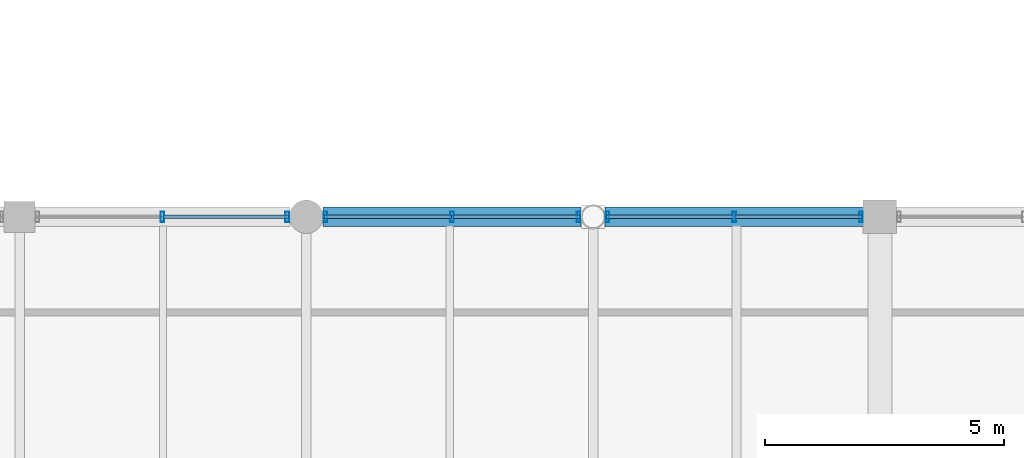
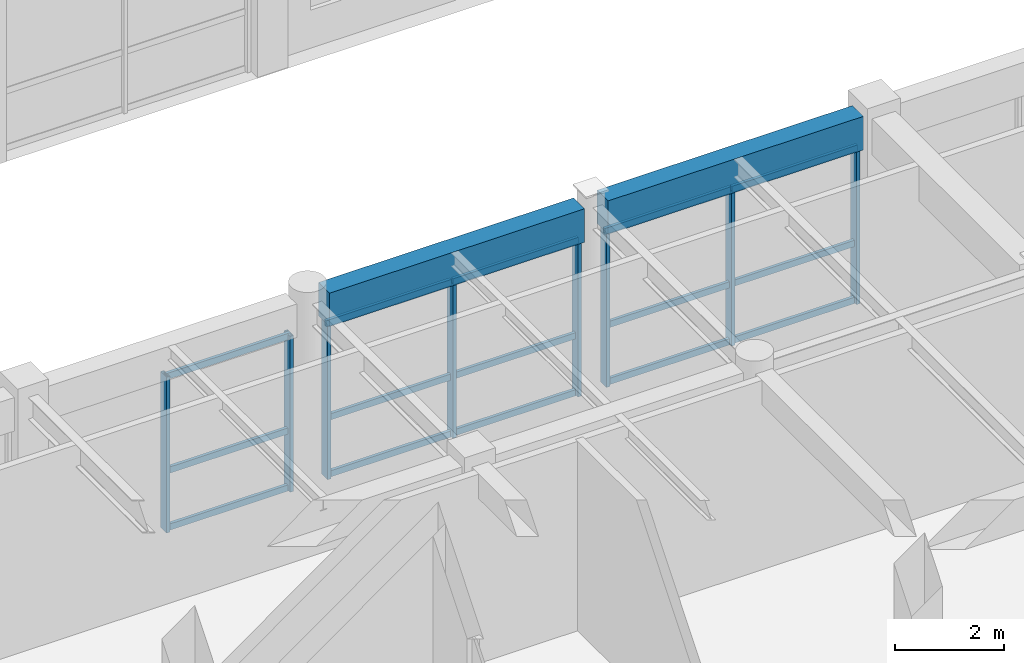
# One storey, part 34 of 116: 23 members, 2 beams, 3 elements without a shape of their own.
"""IFC4 building model written with IfcOpenShell, lengths in metres."""

from ifc_helpers import new_model, si_unit, direction, frame, origin, origin_2d, place, context, subcontext, project, spatial, rectangle, hollow_rectangle, extrude, material, material_profile, profile_set, type_object, element, aggregate, save


model = new_model("IFC4")

# Units and contexts
model_context = context("Model", 3, precision=1e-05, world=origin(), true_north=direction((0.0, 1.0)))
body_context = subcontext(model_context, "Body", "Model", "MODEL_VIEW")
ifc_project = project(units=[si_unit("LENGTHUNIT", "METRE"), si_unit("AREAUNIT", "SQUARE_METRE"), si_unit("VOLUMEUNIT", "CUBIC_METRE"), si_unit("PLANEANGLEUNIT", "RADIAN"), si_unit("MASSUNIT", "GRAM", prefix="KILO"), si_unit("THERMODYNAMICTEMPERATUREUNIT", "KELVIN"), si_unit("POWERUNIT", "WATT")], contexts=[model_context])

# Site, building, storey
site_placement = place(None, origin())
site = spatial("IfcSite", under=ifc_project, at=site_placement, CompositionType="ELEMENT")
building_placement = place(site_placement, origin())
building = spatial("IfcBuilding", under=site, at=building_placement, Name="Phaisarnlok Congress Hotel", CompositionType="ELEMENT")
storey_placement = place(building_placement, frame((0.0, 0.0, 10.5)))
storey = spatial("IfcBuildingStorey", under=building, at=storey_placement, Name="L02", CompositionType="ELEMENT", Elevation=10.5)

# Curtain wall, members
ifc_material_1 = material(Name="Thermally Broken Unitised Aluminium & Low-E Glazing", Category="aluminium")
curtain_wall_type_1 = type_object("IfcCurtainWallType", Name="CW-UNIT-17", PredefinedType="NOTDEFINED", material=ifc_material_1)
curtain_wall_1_placement = place(storey_placement, origin())
curtain_wall_1 = element("IfcCurtainWall", 1, at=curtain_wall_1_placement, inside=storey, type_object=curtain_wall_type_1, Name="Unitised curtain wall CW-17 (L02)", PredefinedType="NOTDEFINED")
ifc_material_2 = material(Name="Anodised Aluminium Alloy 6063-T6", Category="aluminium")
ifc_material_profile_1 = material_profile(ifc_material_2, hollow_rectangle(XDim=0.074951171875, YDim=0.219970703125, WallThickness=0.0048828125, at=origin_2d()), Name="ALU-M 75x220x5")
ifc_profile_set_1 = profile_set([ifc_material_profile_1], Name="Anodised Aluminium Alloy 6063-T6")
member_type_1 = type_object("IfcMemberType", Name="CWM-220", PredefinedType="MULLION", material=ifc_profile_set_1)
member_1_placement = place(storey_placement, frame((95.60009765625, 96.0, 0.0), z_axis=(0.0, 0.0, 1.0), x_axis=(-1.0, 0.0, 0.0)))
member_1 = element("IfcMember", 2, at=member_1_placement, type_object=member_type_1, Name="Curtain wall mullion CWM-02", PredefinedType="MULLION", context=body_context, shape_type="SweptSolid", body=[
    extrude(hollow_rectangle(XDim=0.074951171875, YDim=0.219970703125, WallThickness=0.0048828125, at=origin_2d()), origin(), (0.0, 0.0, 1.0), 3.489990234375),
])
member_2_placement = place(storey_placement, frame((92.951904296875, 96.0, 0.0), z_axis=(0.0, 0.0, 1.0), x_axis=(-1.0, 0.0, 0.0)))
member_2 = element("IfcMember", 3, at=member_2_placement, type_object=member_type_1, Name="Curtain wall mullion CWM-02", PredefinedType="MULLION", context=body_context, shape_type="SweptSolid", body=[
    extrude(hollow_rectangle(XDim=0.074951171875, YDim=0.219970703125, WallThickness=0.0048828125, at=origin_2d()), origin(), (0.0, 0.0, 1.0), 3.489990234375),
])
member_3_placement = place(storey_placement, frame((90.303955078125, 96.0, 0.0), z_axis=(0.0, 0.0, 1.0), x_axis=(-1.0, 0.0, 0.0)))
member_3 = element("IfcMember", 4, at=member_3_placement, type_object=member_type_1, Name="Curtain wall mullion CWM-02", PredefinedType="MULLION", context=body_context, shape_type="SweptSolid", body=[
    extrude(hollow_rectangle(XDim=0.074951171875, YDim=0.219970703125, WallThickness=0.0048828125, at=origin_2d()), origin(), (0.0, 0.0, 1.0), 3.489990234375),
])

curtain_wall_2_placement = place(storey_placement, origin())
curtain_wall_2 = element("IfcCurtainWall", 5, at=curtain_wall_2_placement, inside=storey, type_object=curtain_wall_type_1, Name="Unitised curtain wall CW-17 (L02)", PredefinedType="NOTDEFINED")
member_4_placement = place(storey_placement, frame((89.696044921875, 96.0, 0.0), z_axis=(0.0, 0.0, 1.0), x_axis=(-1.0, 0.0, 0.0)))
member_4 = element("IfcMember", 6, at=member_4_placement, type_object=member_type_1, Name="Curtain wall mullion CWM-02", PredefinedType="MULLION", context=body_context, shape_type="SweptSolid", body=[
    extrude(hollow_rectangle(XDim=0.074951171875, YDim=0.219970703125, WallThickness=0.0048828125, at=origin_2d()), origin(), (0.0, 0.0, 1.0), 3.489990234375),
])
member_5_placement = place(storey_placement, frame((87.048095703125, 96.0, 0.0), z_axis=(0.0, 0.0, 1.0), x_axis=(-1.0, 0.0, 0.0)))
member_5 = element("IfcMember", 7, at=member_5_placement, type_object=member_type_1, Name="Curtain wall mullion CWM-02", PredefinedType="MULLION", context=body_context, shape_type="SweptSolid", body=[
    extrude(hollow_rectangle(XDim=0.074951171875, YDim=0.219970703125, WallThickness=0.0048828125, at=origin_2d()), origin(), (0.0, 0.0, 1.0), 3.489990234375),
])
member_6_placement = place(storey_placement, frame((84.39990234375, 96.0, 0.0), z_axis=(0.0, 0.0, 1.0), x_axis=(-1.0, 0.0, 0.0)))
member_6 = element("IfcMember", 8, at=member_6_placement, type_object=member_type_1, Name="Curtain wall mullion CWM-02", PredefinedType="MULLION", context=body_context, shape_type="SweptSolid", body=[
    extrude(hollow_rectangle(XDim=0.074951171875, YDim=0.219970703125, WallThickness=0.0048828125, at=origin_2d()), origin(), (0.0, 0.0, 1.0), 3.489990234375),
])

curtain_wall_type_2 = type_object("IfcCurtainWallType", Name="CW-UNIT-16", PredefinedType="NOTDEFINED", material=ifc_material_1)
curtain_wall_3_placement = place(storey_placement, origin())
curtain_wall_3 = element("IfcCurtainWall", 9, at=curtain_wall_3_placement, inside=storey, type_object=curtain_wall_type_2, Name="Unitised curtain wall CW-16 (L02)", PredefinedType="NOTDEFINED")
member_7_placement = place(storey_placement, frame((83.60009765625, 96.0, 0.0), z_axis=(0.0, 0.0, 1.0), x_axis=(-1.0, 0.0, 0.0)))
member_7 = element("IfcMember", 10, at=member_7_placement, type_object=member_type_1, Name="Curtain wall mullion CWM-02", PredefinedType="MULLION", context=body_context, shape_type="SweptSolid", body=[
    extrude(hollow_rectangle(XDim=0.074951171875, YDim=0.219970703125, WallThickness=0.0048828125, at=origin_2d()), origin(), (0.0, 0.0, 1.0), 3.489990234375),
])
member_8_placement = place(storey_placement, frame((80.987548828125, 96.0, 0.0), z_axis=(0.0, 0.0, 1.0), x_axis=(-1.0, 0.0, 0.0)))
member_8 = element("IfcMember", 11, at=member_8_placement, type_object=member_type_1, Name="Curtain wall mullion CWM-02", PredefinedType="MULLION", context=body_context, shape_type="SweptSolid", body=[
    extrude(hollow_rectangle(XDim=0.074951171875, YDim=0.219970703125, WallThickness=0.0048828125, at=origin_2d()), origin(), (0.0, 0.0, 1.0), 3.489990234375),
])

# Member
ifc_material_profile_2 = material_profile(ifc_material_2, hollow_rectangle(XDim=0.06494140625, YDim=0.139892578125, WallThickness=0.00390625, at=origin_2d()), Name="ALU-T 65x140x4")
ifc_profile_set_2 = profile_set([ifc_material_profile_2], Name="Anodised Aluminium Alloy 6063-T6")
member_type_2 = type_object("IfcMemberType", Name="CWT-150", PredefinedType="USERDEFINED", material=ifc_profile_set_2)
member_9_placement = place(storey_placement, frame((95.625, 96.0, 0.050048828125), z_axis=(-1.0, 0.0, 0.0), x_axis=(0.0, -1.0, 0.0)))
member_9 = element("IfcMember", 12, at=member_9_placement, type_object=member_type_2, Name="Curtain wall transom CWT-01", ObjectType="TRANSOM", PredefinedType="USERDEFINED", context=body_context, shape_type="SweptSolid", body=[
    extrude(hollow_rectangle(XDim=0.06494140625, YDim=0.139892578125, WallThickness=0.00390625, at=origin_2d()), origin(), (0.0, 0.0, 1.0), 2.657958984375),
])

member_10_placement = place(storey_placement, frame((95.625, 96.0, 1.326171875), z_axis=(-1.0, 0.0, 0.0), x_axis=(0.0, -1.0, 0.0)))
member_10 = element("IfcMember", 13, at=member_10_placement, type_object=member_type_2, Name="Curtain wall transom CWT-01", ObjectType="TRANSOM", PredefinedType="USERDEFINED", context=body_context, shape_type="SweptSolid", body=[
    extrude(hollow_rectangle(XDim=0.06494140625, YDim=0.139892578125, WallThickness=0.00390625, at=origin_2d()), origin(), (0.0, 0.0, 1.0), 2.657958984375),
])

member_11_placement = place(storey_placement, frame((95.625, 96.0, 3.43994140625), z_axis=(-1.0, 0.0, 0.0), x_axis=(0.0, -1.0, 0.0)))
member_11 = element("IfcMember", 14, at=member_11_placement, type_object=member_type_2, Name="Curtain wall transom CWT-01", ObjectType="TRANSOM", PredefinedType="USERDEFINED", context=body_context, shape_type="SweptSolid", body=[
    extrude(hollow_rectangle(XDim=0.06494140625, YDim=0.139892578125, WallThickness=0.00390625, at=origin_2d()), origin(), (0.0, 0.0, 1.0), 2.657958984375),
])

member_12_placement = place(storey_placement, frame((92.93701171875, 96.0, 0.050048828125), z_axis=(-1.0, 0.0, 0.0), x_axis=(0.0, -1.0, 0.0)))
member_12 = element("IfcMember", 15, at=member_12_placement, type_object=member_type_2, Name="Curtain wall transom CWT-01", ObjectType="TRANSOM", PredefinedType="USERDEFINED", context=body_context, shape_type="SweptSolid", body=[
    extrude(hollow_rectangle(XDim=0.06494140625, YDim=0.139892578125, WallThickness=0.00390625, at=origin_2d()), origin(), (0.0, 0.0, 1.0), 2.657958984375),
])

member_13_placement = place(storey_placement, frame((92.93701171875, 96.0, 1.326171875), z_axis=(-1.0, 0.0, 0.0), x_axis=(0.0, -1.0, 0.0)))
member_13 = element("IfcMember", 16, at=member_13_placement, type_object=member_type_2, Name="Curtain wall transom CWT-01", ObjectType="TRANSOM", PredefinedType="USERDEFINED", context=body_context, shape_type="SweptSolid", body=[
    extrude(hollow_rectangle(XDim=0.06494140625, YDim=0.139892578125, WallThickness=0.00390625, at=origin_2d()), origin(), (0.0, 0.0, 1.0), 2.657958984375),
])

member_14_placement = place(storey_placement, frame((92.93701171875, 96.0, 3.43994140625), z_axis=(-1.0, 0.0, 0.0), x_axis=(0.0, -1.0, 0.0)))
member_14 = element("IfcMember", 17, at=member_14_placement, type_object=member_type_2, Name="Curtain wall transom CWT-01", ObjectType="TRANSOM", PredefinedType="USERDEFINED", context=body_context, shape_type="SweptSolid", body=[
    extrude(hollow_rectangle(XDim=0.06494140625, YDim=0.139892578125, WallThickness=0.00390625, at=origin_2d()), origin(), (0.0, 0.0, 1.0), 2.657958984375),
])

aggregate(curtain_wall_1, [member_1, member_2, member_3, member_9, member_10, member_11, member_12, member_13, member_14])

member_15_placement = place(storey_placement, frame((89.720947265625, 96.0, 0.050048828125), z_axis=(-1.0, 0.0, 0.0), x_axis=(0.0, -1.0, 0.0)))
member_15 = element("IfcMember", 18, at=member_15_placement, type_object=member_type_2, Name="Curtain wall transom CWT-01", ObjectType="TRANSOM", PredefinedType="USERDEFINED", context=body_context, shape_type="SweptSolid", body=[
    extrude(hollow_rectangle(XDim=0.06494140625, YDim=0.139892578125, WallThickness=0.00390625, at=origin_2d()), origin(), (0.0, 0.0, 1.0), 2.657958984375),
])

member_16_placement = place(storey_placement, frame((89.720947265625, 96.0, 1.326171875), z_axis=(-1.0, 0.0, 0.0), x_axis=(0.0, -1.0, 0.0)))
member_16 = element("IfcMember", 19, at=member_16_placement, type_object=member_type_2, Name="Curtain wall transom CWT-01", ObjectType="TRANSOM", PredefinedType="USERDEFINED", context=body_context, shape_type="SweptSolid", body=[
    extrude(hollow_rectangle(XDim=0.06494140625, YDim=0.139892578125, WallThickness=0.00390625, at=origin_2d()), origin(), (0.0, 0.0, 1.0), 2.657958984375),
])

member_17_placement = place(storey_placement, frame((89.720947265625, 96.0, 3.43994140625), z_axis=(-1.0, 0.0, 0.0), x_axis=(0.0, -1.0, 0.0)))
member_17 = element("IfcMember", 20, at=member_17_placement, type_object=member_type_2, Name="Curtain wall transom CWT-01", ObjectType="TRANSOM", PredefinedType="USERDEFINED", context=body_context, shape_type="SweptSolid", body=[
    extrude(hollow_rectangle(XDim=0.06494140625, YDim=0.139892578125, WallThickness=0.00390625, at=origin_2d()), origin(), (0.0, 0.0, 1.0), 2.657958984375),
])

member_18_placement = place(storey_placement, frame((87.032958984375, 96.0, 0.050048828125), z_axis=(-1.0, 0.0, 0.0), x_axis=(0.0, -1.0, 0.0)))
member_18 = element("IfcMember", 21, at=member_18_placement, type_object=member_type_2, Name="Curtain wall transom CWT-01", ObjectType="TRANSOM", PredefinedType="USERDEFINED", context=body_context, shape_type="SweptSolid", body=[
    extrude(hollow_rectangle(XDim=0.06494140625, YDim=0.139892578125, WallThickness=0.00390625, at=origin_2d()), origin(), (0.0, 0.0, 1.0), 2.657958984375),
])

member_19_placement = place(storey_placement, frame((87.032958984375, 96.0, 1.326171875), z_axis=(-1.0, 0.0, 0.0), x_axis=(0.0, -1.0, 0.0)))
member_19 = element("IfcMember", 22, at=member_19_placement, type_object=member_type_2, Name="Curtain wall transom CWT-01", ObjectType="TRANSOM", PredefinedType="USERDEFINED", context=body_context, shape_type="SweptSolid", body=[
    extrude(hollow_rectangle(XDim=0.06494140625, YDim=0.139892578125, WallThickness=0.00390625, at=origin_2d()), origin(), (0.0, 0.0, 1.0), 2.657958984375),
])

member_20_placement = place(storey_placement, frame((87.032958984375, 96.0, 3.43994140625), z_axis=(-1.0, 0.0, 0.0), x_axis=(0.0, -1.0, 0.0)))
member_20 = element("IfcMember", 23, at=member_20_placement, type_object=member_type_2, Name="Curtain wall transom CWT-01", ObjectType="TRANSOM", PredefinedType="USERDEFINED", context=body_context, shape_type="SweptSolid", body=[
    extrude(hollow_rectangle(XDim=0.06494140625, YDim=0.139892578125, WallThickness=0.00390625, at=origin_2d()), origin(), (0.0, 0.0, 1.0), 2.657958984375),
])

aggregate(curtain_wall_2, [member_4, member_5, member_6, member_15, member_16, member_17, member_18, member_19, member_20])

member_21_placement = place(storey_placement, frame((83.625, 96.0, 0.050048828125), z_axis=(-1.0, 0.0, 0.0), x_axis=(0.0, -1.0, 0.0)))
member_21 = element("IfcMember", 24, at=member_21_placement, type_object=member_type_2, Name="Curtain wall transom CWT-01", ObjectType="TRANSOM", PredefinedType="USERDEFINED", context=body_context, shape_type="SweptSolid", body=[
    extrude(hollow_rectangle(XDim=0.06494140625, YDim=0.139892578125, WallThickness=0.00390625, at=origin_2d()), origin(), (0.0, 0.0, 1.0), 2.62255859375),
])

member_22_placement = place(storey_placement, frame((83.625, 96.0, 1.326171875), z_axis=(-1.0, 0.0, 0.0), x_axis=(0.0, -1.0, 0.0)))
member_22 = element("IfcMember", 25, at=member_22_placement, type_object=member_type_2, Name="Curtain wall transom CWT-01", ObjectType="TRANSOM", PredefinedType="USERDEFINED", context=body_context, shape_type="SweptSolid", body=[
    extrude(hollow_rectangle(XDim=0.06494140625, YDim=0.139892578125, WallThickness=0.00390625, at=origin_2d()), origin(), (0.0, 0.0, 1.0), 2.62255859375),
])

member_23_placement = place(storey_placement, frame((83.625, 96.0, 3.43994140625), z_axis=(-1.0, 0.0, 0.0), x_axis=(0.0, -1.0, 0.0)))
member_23 = element("IfcMember", 26, at=member_23_placement, type_object=member_type_2, Name="Curtain wall transom CWT-01", ObjectType="TRANSOM", PredefinedType="USERDEFINED", context=body_context, shape_type="SweptSolid", body=[
    extrude(hollow_rectangle(XDim=0.06494140625, YDim=0.139892578125, WallThickness=0.00390625, at=origin_2d()), origin(), (0.0, 0.0, 1.0), 2.62255859375),
])

aggregate(curtain_wall_3, [member_7, member_8, member_21, member_22, member_23])

# Beams
ifc_material_3 = material(Name="Concrete C40/50", Category="concrete")
ifc_material_profile_3 = material_profile(ifc_material_3, rectangle(XDim=0.39990234375, YDim=0.75, at=origin_2d()), Name="RC 400x750")
ifc_profile_set_3 = profile_set([ifc_material_profile_3], Name="Concrete C40/50")
beam_type = type_object("IfcBeamType", Name="SP-RC-400x750", PredefinedType="SPANDREL", material=ifc_profile_set_3)
for number, where, z_axis, x_axis, name in (
    (27, (84.344970703125, 96.0, 3.864990234375), (1.0, 0.0, 0.0), (0.0, 1.0, 0.0), "Beam SP-02"),
    (28, (90.2490234375, 96.0, 3.864990234375), (1.0, 0.0, 0.0), (0.0, 1.0, 0.0), "Beam SP-02"),
):
    element("IfcBeam", number, at=place(storey_placement, frame(where, z_axis=z_axis, x_axis=x_axis)), inside=storey, type_object=beam_type, Name=name, PredefinedType="SPANDREL", context=body_context, shape_type="SweptSolid", body=[
        extrude(rectangle(XDim=0.39990234375, YDim=0.75, at=origin_2d()), origin(), (0.0, 0.0, 1.0), 5.406005859375),
    ])

save(model, "model.ifc")
